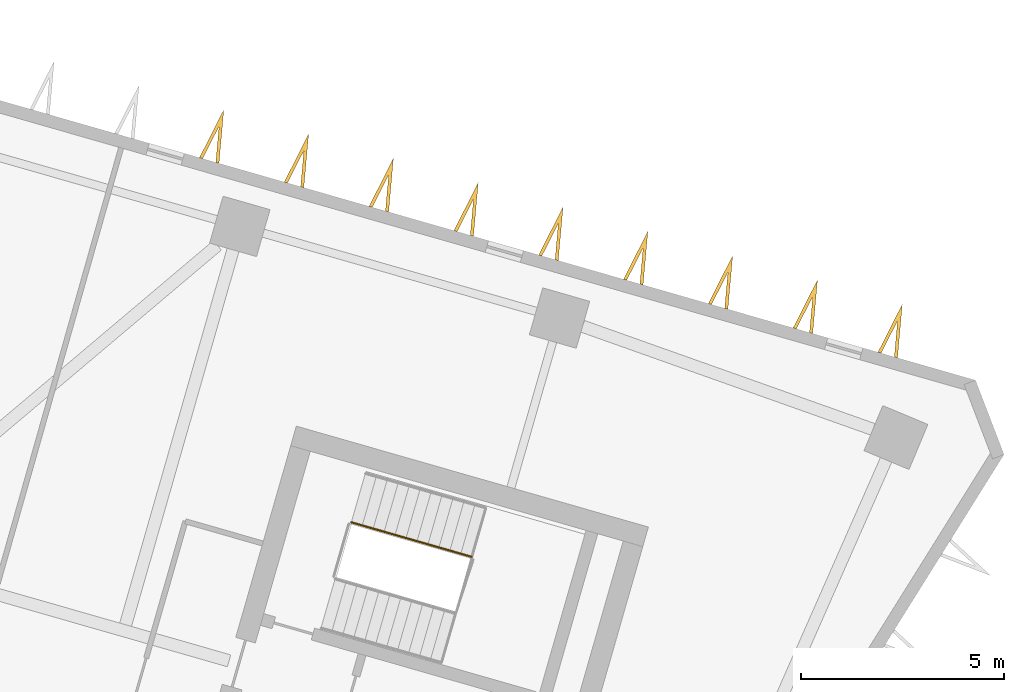
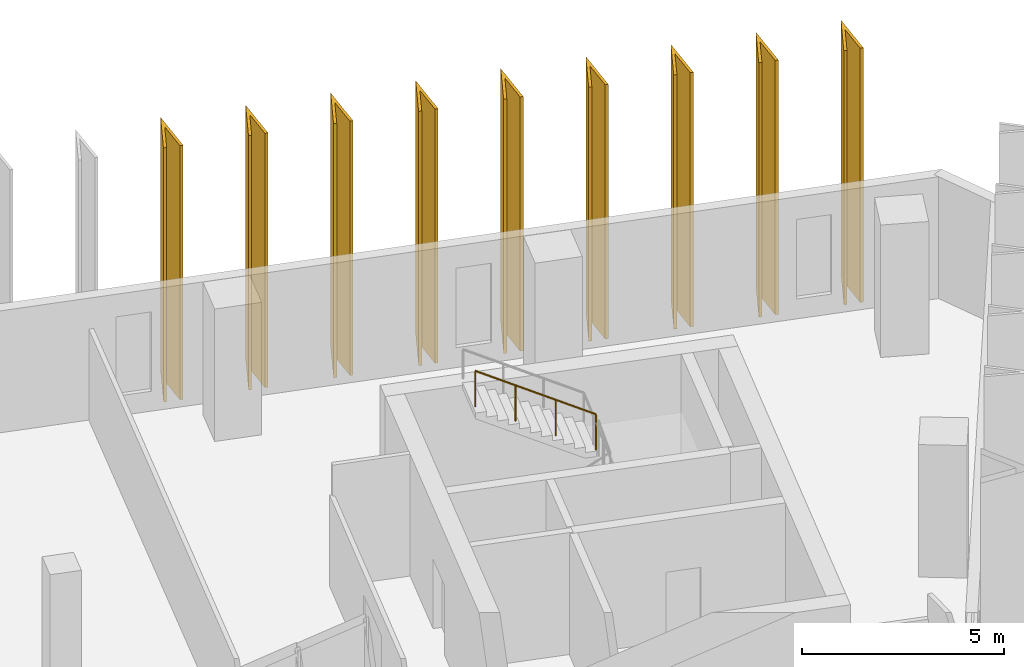
# One storey, part 10 of 10: 9 shading devices, 1 railing.
"""IFC4 building model written with IfcOpenShell, lengths in metres."""

from ifc_helpers import new_model, si_unit, direction, frame, origin, origin_2d, place, context, subcontext, project, spatial, polyline, circle, outline, extrude, material, type_object, element, save


model = new_model("IFC4")

# Units and contexts
model_context = context("Model", 3, precision=1e-05, world=origin(), true_north=direction((0.0, 1.0)))
body_context = subcontext(model_context, "Body", "Model", "MODEL_VIEW")
ifc_project = project(units=[si_unit("LENGTHUNIT", "METRE"), si_unit("AREAUNIT", "SQUARE_METRE"), si_unit("VOLUMEUNIT", "CUBIC_METRE"), si_unit("PLANEANGLEUNIT", "RADIAN"), si_unit("MASSUNIT", "GRAM", prefix="KILO")], contexts=[model_context])

# Site, building, storey
site_placement = place(None, origin())
site = spatial("IfcSite", under=ifc_project, at=site_placement, CompositionType="ELEMENT")
building_placement = place(site_placement, origin())
building = spatial("IfcBuilding", under=site, at=building_placement, Name="Binnacle Exchange Tower", CompositionType="ELEMENT")
storey_placement = place(building_placement, frame((0.0, 0.0, 162.89990234375)))
storey = spatial("IfcBuildingStorey", under=building, at=storey_placement, Name="L34", CompositionType="ELEMENT", Elevation=162.89990234375)

# Railing
ifc_material_1 = material(Name="Steel guard rail", Category="steel")
railing_type = type_object("IfcRailingType", Name="STAIR GUARD 1100", PredefinedType="GUARDRAIL", material=ifc_material_1)
railing_placement = place(storey_placement, frame((24.447021484375, 57.255126953125, 2.166748046875)))
element("IfcRailing", 1, at=railing_placement, inside=storey, type_object=railing_type, Name="L34 STD1 stair guard 2", PredefinedType="GUARDRAIL", context=body_context, shape_type="SweptSolid", body=[
    extrude(circle(Radius=0.02392578125, at=origin_2d()), frame((0.0, 0.0, 1.076171875), z_axis=(-0.826006950853, 0.236897186037, 0.511460888427), x_axis=(-0.27568413623, -0.961248280639, 0.0)), (0.0, 0.0, 1.0), 3.584228515625),
    extrude(circle(Radius=0.02099609375, at=origin_2d()), origin(), (0.0, 0.0, 1.0), 1.052001953125),
    extrude(circle(Radius=0.02099609375, at=origin_2d()), frame((-0.98681640625, 0.282958984375, 0.611083984375)), (0.0, 0.0, 1.0), 1.052001953125),
    extrude(circle(Radius=0.02099609375, at=origin_2d()), frame((-1.973876953125, 0.566162109375, 1.22216796875)), (0.0, 0.0, 1.0), 1.052001953125),
    extrude(circle(Radius=0.02099609375, at=origin_2d()), frame((-2.960693359375, 0.84912109375, 1.833251953125)), (0.0, 0.0, 1.0), 1.052001953125),
])

# Shading devices
ifc_material_2 = material(Name="Bronze aluminium cladding", Category="aluminium")
shading_device_type = type_object("IfcShadingDeviceType", Name="V FIN 1300 DEEP x 7680 HIGH", PredefinedType="USERDEFINED", material=ifc_material_2)
shading_device_1_placement = place(storey_placement, origin())
element("IfcShadingDevice", 2, at=shading_device_1_placement, inside=storey, type_object=shading_device_type, Name="V fin FN-G06-01 L34", ObjectType="FIN", PredefinedType="USERDEFINED", context=body_context, shape_type="SweptSolid", body=[
    extrude(outline(polyline([(34.90966796875, 62.145751953125), (35.027587890625, 63.46435546875), (34.42919921875, 62.28369140625), (34.50732421875, 62.26123046875), (34.910888671875, 63.05712890625), (34.831298828125, 62.168212890625), (34.90966796875, 62.145751953125)])), origin(), (0.0, 0.0, 1.0), 7.68017578125),
])
shading_device_2_placement = place(storey_placement, origin())
element("IfcShadingDevice", 3, at=shading_device_2_placement, inside=storey, type_object=shading_device_type, Name="V fin FN-G06-02 L34", ObjectType="FIN", PredefinedType="USERDEFINED", context=body_context, shape_type="SweptSolid", body=[
    extrude(outline(polyline([(32.825439453125, 62.743408203125), (32.943359375, 64.06201171875), (32.3447265625, 62.88134765625), (32.423095703125, 62.85888671875), (32.82666015625, 63.65478515625), (32.7470703125, 62.765869140625), (32.825439453125, 62.743408203125)])), origin(), (0.0, 0.0, 1.0), 7.68017578125),
])
shading_device_3_placement = place(storey_placement, origin())
element("IfcShadingDevice", 4, at=shading_device_3_placement, inside=storey, type_object=shading_device_type, Name="V fin FN-G06-03 L34", ObjectType="FIN", PredefinedType="USERDEFINED", context=body_context, shape_type="SweptSolid", body=[
    extrude(outline(polyline([(30.7412109375, 63.341064453125), (30.859130859375, 64.65966796875), (30.260498046875, 63.47900390625), (30.3388671875, 63.45654296875), (30.742431640625, 64.25244140625), (30.662841796875, 63.363525390625), (30.7412109375, 63.341064453125)])), origin(), (0.0, 0.0, 1.0), 7.68017578125),
])
shading_device_4_placement = place(storey_placement, origin())
element("IfcShadingDevice", 5, at=shading_device_4_placement, inside=storey, type_object=shading_device_type, Name="V fin FN-G06-04 L34", ObjectType="FIN", PredefinedType="USERDEFINED", context=body_context, shape_type="SweptSolid", body=[
    extrude(outline(polyline([(28.656982421875, 63.938720703125), (28.77490234375, 65.25732421875), (28.17626953125, 64.07666015625), (28.254638671875, 64.05419921875), (28.658203125, 64.85009765625), (28.57861328125, 63.961181640625), (28.656982421875, 63.938720703125)])), origin(), (0.0, 0.0, 1.0), 7.68017578125),
])
shading_device_5_placement = place(storey_placement, origin())
element("IfcShadingDevice", 6, at=shading_device_5_placement, inside=storey, type_object=shading_device_type, Name="V fin FN-G06-05 L34", ObjectType="FIN", PredefinedType="USERDEFINED", context=body_context, shape_type="SweptSolid", body=[
    extrude(outline(polyline([(26.57275390625, 64.536376953125), (26.690673828125, 65.85498046875), (26.092041015625, 64.67431640625), (26.17041015625, 64.65185546875), (26.573974609375, 65.44775390625), (26.494384765625, 64.558837890625), (26.57275390625, 64.536376953125)])), origin(), (0.0, 0.0, 1.0), 7.68017578125),
])
shading_device_6_placement = place(storey_placement, origin())
element("IfcShadingDevice", 7, at=shading_device_6_placement, inside=storey, type_object=shading_device_type, Name="V fin FN-G06-06 L34", ObjectType="FIN", PredefinedType="USERDEFINED", context=body_context, shape_type="SweptSolid", body=[
    extrude(outline(polyline([(24.488525390625, 65.134033203125), (24.6064453125, 66.45263671875), (24.0078125, 65.27197265625), (24.086181640625, 65.24951171875), (24.48974609375, 66.04541015625), (24.41015625, 65.156494140625), (24.488525390625, 65.134033203125)])), origin(), (0.0, 0.0, 1.0), 7.68017578125),
])
shading_device_7_placement = place(storey_placement, origin())
element("IfcShadingDevice", 8, at=shading_device_7_placement, inside=storey, type_object=shading_device_type, Name="V fin FN-G06-07 L34", ObjectType="FIN", PredefinedType="USERDEFINED", context=body_context, shape_type="SweptSolid", body=[
    extrude(outline(polyline([(22.404296875, 65.731689453125), (22.522216796875, 67.05029296875), (21.923583984375, 65.869384765625), (22.001953125, 65.84716796875), (22.405517578125, 66.64306640625), (22.325927734375, 65.754150390625), (22.404296875, 65.731689453125)])), origin(), (0.0, 0.0, 1.0), 7.68017578125),
])
shading_device_8_placement = place(storey_placement, origin())
element("IfcShadingDevice", 9, at=shading_device_8_placement, inside=storey, type_object=shading_device_type, Name="V fin FN-G06-08 L34", ObjectType="FIN", PredefinedType="USERDEFINED", context=body_context, shape_type="SweptSolid", body=[
    extrude(outline(polyline([(20.320068359375, 66.329345703125), (20.43798828125, 67.64794921875), (19.83935546875, 66.46728515625), (19.917724609375, 66.44482421875), (20.3212890625, 67.24072265625), (20.24169921875, 66.351806640625), (20.320068359375, 66.329345703125)])), origin(), (0.0, 0.0, 1.0), 7.68017578125),
])
shading_device_9_placement = place(storey_placement, origin())
element("IfcShadingDevice", 10, at=shading_device_9_placement, inside=storey, type_object=shading_device_type, Name="V fin FN-G06-09 L34", ObjectType="FIN", PredefinedType="USERDEFINED", context=body_context, shape_type="SweptSolid", body=[
    extrude(outline(polyline([(18.23583984375, 66.927001953125), (18.353759765625, 68.24560546875), (17.755126953125, 67.064697265625), (17.83349609375, 67.04248046875), (18.237060546875, 67.83837890625), (18.157470703125, 66.949462890625), (18.23583984375, 66.927001953125)])), origin(), (0.0, 0.0, 1.0), 7.68017578125),
])

save(model, "model.ifc")
